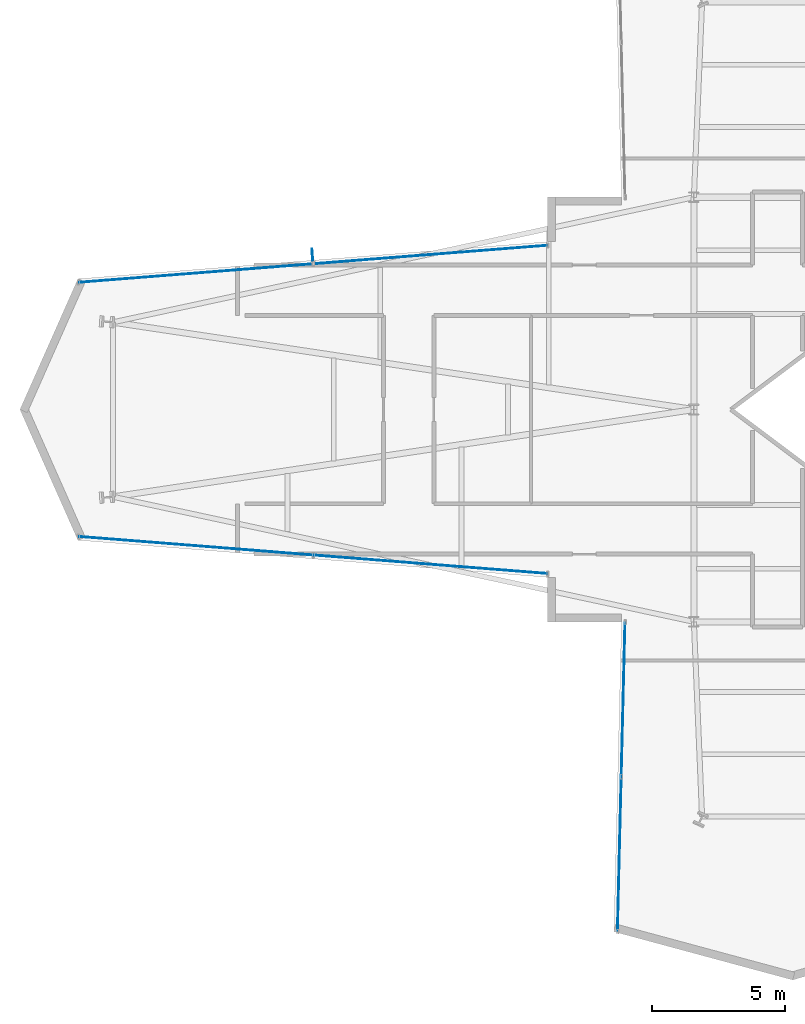
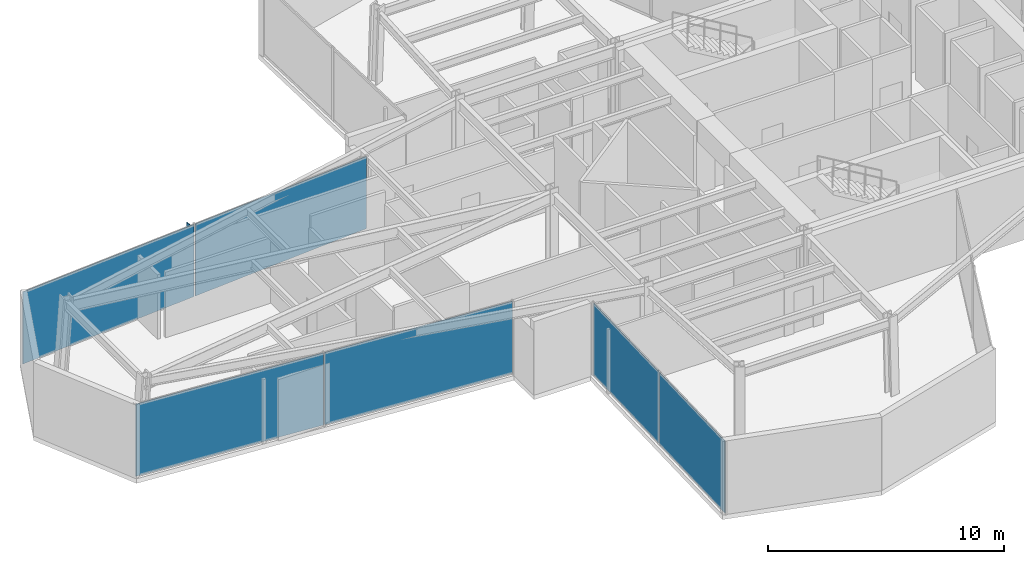
# One storey, part 19 of 25: 7 plates, 3 elements without a shape of their own.
"""IFC4 building model written with IfcOpenShell, lengths in metres."""

from ifc_helpers import new_model, si_unit, direction, frame, origin, origin_2d, place, context, subcontext, project, spatial, rectangle, extrude, material, layer, layer_set, type_object, element, aggregate, save


model = new_model("IFC4")

# Units and contexts
model_context = context("Model", 3, precision=1e-05, world=origin(), true_north=direction((0.0, 1.0)))
body_context = subcontext(model_context, "Body", "Model", "MODEL_VIEW")
ifc_project = project(units=[si_unit("LENGTHUNIT", "METRE"), si_unit("AREAUNIT", "SQUARE_METRE"), si_unit("VOLUMEUNIT", "CUBIC_METRE"), si_unit("PLANEANGLEUNIT", "RADIAN"), si_unit("MASSUNIT", "GRAM", prefix="KILO")], contexts=[model_context])

# Site, building, storey
site_placement = place(None, origin())
site = spatial("IfcSite", under=ifc_project, at=site_placement, CompositionType="ELEMENT")
building_placement = place(site_placement, origin())
building = spatial("IfcBuilding", under=site, at=building_placement, Name="Veymaron Broadcast Tower", CompositionType="ELEMENT")
storey_placement = place(building_placement, frame((0.0, 0.0, 82.35009765625)))
storey = spatial("IfcBuildingStorey", under=building, at=storey_placement, Name="L18", CompositionType="ELEMENT", Elevation=82.35009765625)

# Curtain wall, plates
ifc_material_1 = material(Name="Anodised aluminium AA 6063-T6 and laminated low-E dark glass", Category="aluminium")
ifc_layer_1 = layer(ifc_material_1, 0.179931640625)
ifc_layer_set_1 = layer_set([ifc_layer_1], Name="Anodised aluminium AA 6063-T6 and laminated low-E dark glass")
curtain_wall_type = type_object("IfcCurtainWallType", Name="CW-SYS-02", PredefinedType="NOTDEFINED", material=ifc_layer_set_1)
curtain_wall_1_placement = place(storey_placement, origin())
curtain_wall_1 = element("IfcCurtainWall", 1, at=curtain_wall_1_placement, inside=storey, type_object=curtain_wall_type, Name="L18 dark-glass curtain wall CW-L18-E11-1", PredefinedType="NOTDEFINED")
ifc_material_2 = material(Name="Double-silver solar-control dark glass IGU 32 mm", Category="glass")
ifc_layer_2 = layer(ifc_material_2, 0.031982421875)
ifc_layer_set_2 = layer_set([ifc_layer_2], Name="Double-silver solar-control dark glass IGU 32 mm")
plate_type_1 = type_object("IfcPlateType", Name="CW-PNL-02", PredefinedType="CURTAIN_PANEL", material=ifc_layer_set_2)
plate_1_placement = place(storey_placement, frame((21.277099609375, 29.835693359375, 0.039794921875), z_axis=(0.0, 0.0, 1.0), x_axis=(-0.996892635886, -0.078772282668, 0.0)))
plate_1 = element("IfcPlate", 2, at=plate_1_placement, type_object=plate_type_1, Name="CW-L18-E11-1 unitised curtain panel 0", PredefinedType="CURTAIN_PANEL", context=body_context, shape_type="SweptSolid", body=[
    extrude(rectangle(XDim=8.8115234375, YDim=0.031982421875, at=origin_2d()), origin(), (0.0, 0.0, 1.0), 3.72998046875),
])
plate_2_placement = place(storey_placement, frame((12.43310546875, 29.13671875, 0.039794921875), z_axis=(0.0, 0.0, 1.0), x_axis=(-0.996892635886, -0.078772282668, 0.0)))
plate_2 = element("IfcPlate", 3, at=plate_2_placement, type_object=plate_type_1, Name="CW-L18-E11-1 unitised curtain panel 1", PredefinedType="CURTAIN_PANEL", context=body_context, shape_type="SweptSolid", body=[
    extrude(rectangle(XDim=8.8115234375, YDim=0.031982421875, at=origin_2d()), origin(), (0.0, 0.0, 1.0), 3.72998046875),
])
aggregate(curtain_wall_1, [plate_1, plate_2])

curtain_wall_2_placement = place(storey_placement, origin())
curtain_wall_2 = element("IfcCurtainWall", 4, at=curtain_wall_2_placement, inside=storey, type_object=curtain_wall_type, Name="L18 dark-glass curtain wall CW-L18-E14-1", PredefinedType="NOTDEFINED")
plate_3_placement = place(storey_placement, frame((12.43310546875, 18.86328125, 0.039794921875), z_axis=(0.0, 0.0, 1.0), x_axis=(0.996892635886, -0.078772282668, 0.0)))
plate_3 = element("IfcPlate", 5, at=plate_3_placement, type_object=plate_type_1, Name="CW-L18-E14-1 unitised curtain panel 0", PredefinedType="CURTAIN_PANEL", context=body_context, shape_type="SweptSolid", body=[
    extrude(rectangle(XDim=8.8115234375, YDim=0.031982421875, at=origin_2d()), origin(), (0.0, 0.0, 1.0), 3.72998046875),
])
plate_4_placement = place(storey_placement, frame((21.277099609375, 18.164306640625, 0.039794921875), z_axis=(0.0, 0.0, 1.0), x_axis=(0.996892635886, -0.078772282668, 0.0)))
plate_4 = element("IfcPlate", 6, at=plate_4_placement, type_object=plate_type_1, Name="CW-L18-E14-1 unitised curtain panel 1", PredefinedType="CURTAIN_PANEL", context=body_context, shape_type="SweptSolid", body=[
    extrude(rectangle(XDim=8.8115234375, YDim=0.031982421875, at=origin_2d()), origin(), (0.0, 0.0, 1.0), 3.72998046875),
])
aggregate(curtain_wall_2, [plate_3, plate_4])

curtain_wall_3_placement = place(storey_placement, origin())
curtain_wall_3 = element("IfcCurtainWall", 7, at=curtain_wall_3_placement, inside=storey, type_object=curtain_wall_type, Name="L18 dark-glass curtain wall CW-L18-E17-1", PredefinedType="NOTDEFINED")
plate_5_placement = place(storey_placement, frame((28.537353515625, 13.080078125, 0.039794921875), z_axis=(0.0, 0.0, 1.0), x_axis=(-0.024379833872, -0.999702767677, 0.0)))
plate_5 = element("IfcPlate", 8, at=plate_5_placement, type_object=plate_type_1, Name="CW-L18-E17-1 unitised curtain panel 0", PredefinedType="CURTAIN_PANEL", context=body_context, shape_type="SweptSolid", body=[
    extrude(rectangle(XDim=5.774658203125, YDim=0.031982421875, at=origin_2d()), origin(), (0.0, 0.0, 1.0), 3.72998046875),
])
plate_6_placement = place(storey_placement, frame((28.39501953125, 7.2470703125, 0.039794921875), z_axis=(0.0, 0.0, 1.0), x_axis=(-0.024379833872, -0.999702767677, 0.0)))
plate_6 = element("IfcPlate", 9, at=plate_6_placement, type_object=plate_type_1, Name="CW-L18-E17-1 unitised curtain panel 1", PredefinedType="CURTAIN_PANEL", context=body_context, shape_type="SweptSolid", body=[
    extrude(rectangle(XDim=5.774658203125, YDim=0.031982421875, at=origin_2d()), origin(), (0.0, 0.0, 1.0), 3.72998046875),
])
aggregate(curtain_wall_3, [plate_5, plate_6])

# Plate
ifc_material_3 = material(Name="Dark-anodised aluminium AA 6061-T6", Category="aluminium")
ifc_layer_3 = layer(ifc_material_3, 0.034912109375)
ifc_layer_set_3 = layer_set([ifc_layer_3], Name="Dark-anodised aluminium AA 6061-T6")
plate_type_2 = type_object("IfcPlateType", Name="FIN-CHEV-01", PredefinedType="USERDEFINED", material=ifc_layer_set_3)
plate_7_placement = place(storey_placement, frame((16.826904296875, 29.840087890625, 0.2666015625), z_axis=(0.0, 0.0, 1.0), x_axis=(-0.078772282668, 0.996892635886, 0.0)))
element("IfcPlate", 10, at=plate_7_placement, inside=storey, type_object=plate_type_2, Name="CW-L18-E11-1 chevron fin 1", ObjectType="FIN", PredefinedType="USERDEFINED", context=body_context, shape_type="SweptSolid", body=[
    extrude(rectangle(XDim=0.449951171875, YDim=0.034912109375, at=origin_2d()), origin(), (0.0, 0.0, 1.0), 3.276611328125),
])

save(model, "model.ifc")
